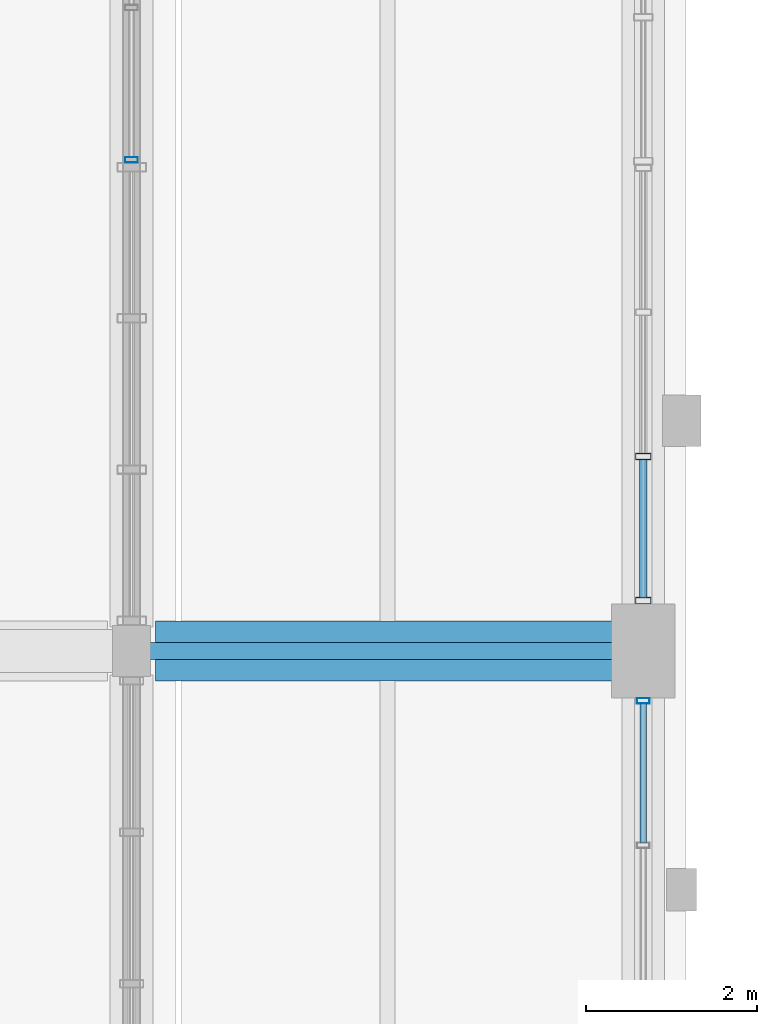
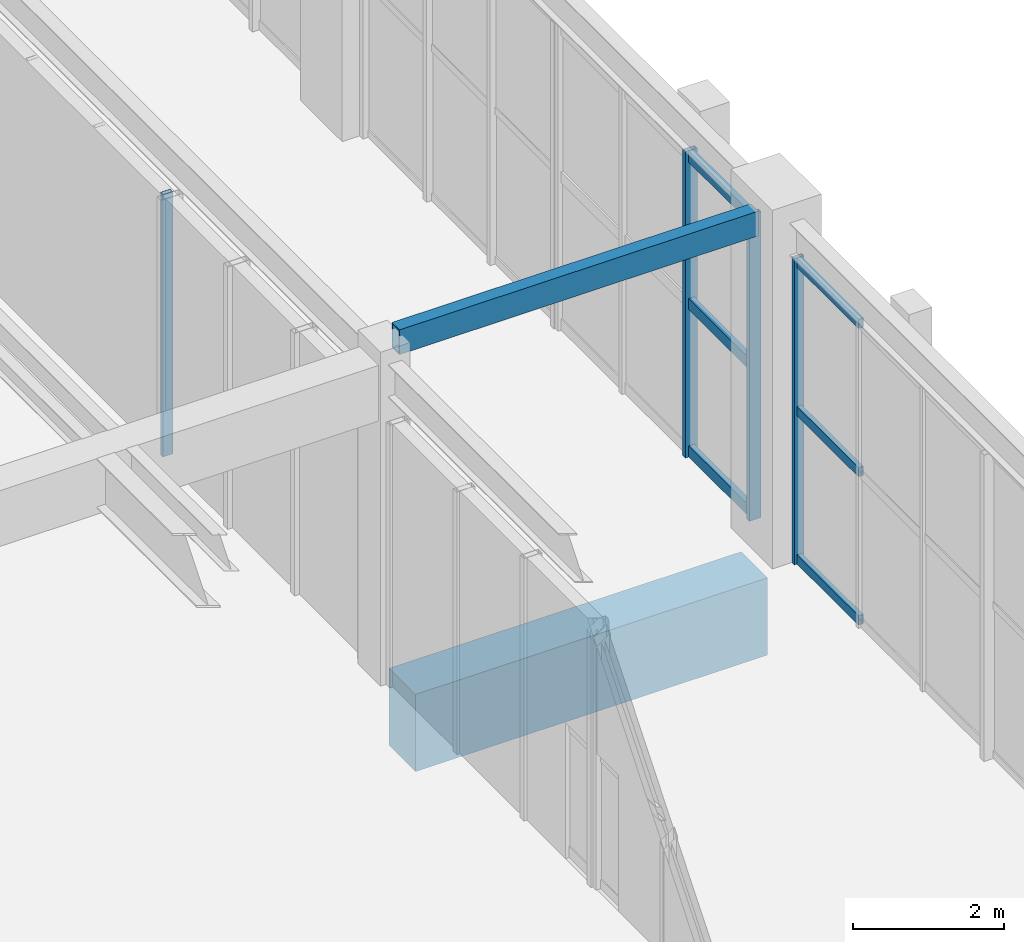
# One storey, part 35 of 113: 10 members, 2 beams, 3 elements without a shape of their own.
"""IFC4 building model written with IfcOpenShell, lengths in metres."""

from ifc_helpers import new_model, si_unit, direction, frame, origin, origin_2d, place, context, subcontext, project, spatial, rectangle, hollow_rectangle, extrude, material, layer, layer_set, material_profile, profile_set, type_object, element, aggregate, save


model = new_model("IFC4")

# Units and contexts
model_context = context("Model", 3, precision=1e-05, world=origin(), true_north=direction((0.0, 1.0)))
body_context = subcontext(model_context, "Body", "Model", "MODEL_VIEW")
ifc_project = project(units=[si_unit("LENGTHUNIT", "METRE"), si_unit("AREAUNIT", "SQUARE_METRE"), si_unit("VOLUMEUNIT", "CUBIC_METRE"), si_unit("PLANEANGLEUNIT", "RADIAN"), si_unit("MASSUNIT", "GRAM", prefix="KILO"), si_unit("POWERUNIT", "WATT"), si_unit("THERMODYNAMICTEMPERATUREUNIT", "KELVIN")], contexts=[model_context])

# Site, building, storey
site_placement = place(None, origin())
site = spatial("IfcSite", under=ifc_project, at=site_placement, CompositionType="ELEMENT")
building_placement = place(site_placement, origin())
building = spatial("IfcBuilding", under=site, at=building_placement, Name="Kelmbourne Parkland Aquatics Centre", CompositionType="ELEMENT")
storey_placement = place(building_placement, origin())
storey = spatial("IfcBuildingStorey", under=building, at=storey_placement, Name="L00", CompositionType="ELEMENT", Elevation=0.0)

# Beams
ifc_material_1 = material(Name="Concrete C50/60", Category="concrete")
ifc_material_profile_1 = material_profile(ifc_material_1, rectangle(XDim=0.699951171875, YDim=1.25, at=origin_2d()), Name="RC 700x1250")
ifc_profile_set_1 = profile_set([ifc_material_profile_1], Name="Concrete C50/60")
beam_type_1 = type_object("IfcBeamType", Name="BM-G08", PredefinedType="BEAM", material=ifc_profile_set_1)
beam_1_placement = place(storey_placement, frame((40.280029296875, 57.800048828125, -0.905029296875), z_axis=(1.0, 0.0, 0.0), x_axis=(0.0, 1.0, 0.0)))
element("IfcBeam", 1, at=beam_1_placement, inside=storey, type_object=beam_type_1, Name="Primary girder F-G Grid 08 (L00)", PredefinedType="BEAM", context=body_context, shape_type="SweptSolid", body=[
    extrude(rectangle(XDim=0.699951171875, YDim=1.25, at=origin_2d()), origin(), (0.0, 0.0, 1.0), 5.389892578125),
])
ifc_material_2 = material(Name="Cold-formed hollow steel AS/NZS 1163 C350L0", Category="steel")
ifc_material_profile_2 = material_profile(ifc_material_2, hollow_rectangle(XDim=0.199951171875, YDim=0.39990234375, WallThickness=0.012451171875, at=origin_2d()), Name="RHS 400x200x12.5")
ifc_profile_set_2 = profile_set([ifc_material_profile_2], Name="Cold-formed hollow steel AS/NZS 1163 C350L0")
beam_type_2 = type_object("IfcBeamType", Name="BM-SP03", PredefinedType="SPANDREL", material=ifc_profile_set_2)
beam_2_placement = place(storey_placement, frame((40.179931640625, 57.800048828125, 5.300048828125), z_axis=(1.0, 0.0, 0.0), x_axis=(0.0, 1.0, 0.0)))
element("IfcBeam", 2, at=beam_2_placement, inside=storey, type_object=beam_type_2, Name="Colonnade cross spandrel F-G Grid 08", PredefinedType="SPANDREL", context=body_context, shape_type="SweptSolid", body=[
    extrude(hollow_rectangle(XDim=0.199951171875, YDim=0.39990234375, WallThickness=0.012451171875, at=origin_2d()), origin(), (0.0, 0.0, 1.0), 5.489990234375),
])

# Curtain wall, member
ifc_material_3 = material(Name="Thermally broken anodised aluminium framing", Category="aluminium")
ifc_layer_1 = layer(ifc_material_3, 0.179931640625)
ifc_layer_set_1 = layer_set([ifc_layer_1], Name="Thermally broken anodised aluminium framing")
curtain_wall_type_1 = type_object("IfcCurtainWallType", Name="CW-07", PredefinedType="NOTDEFINED", material=ifc_layer_set_1)
curtain_wall_1_placement = place(storey_placement, origin())
curtain_wall_1 = element("IfcCurtainWall", 3, at=curtain_wall_1_placement, inside=storey, type_object=curtain_wall_type_1, Name="Facade curtain wall CW-L00-175", PredefinedType="NOTDEFINED")
ifc_material_profile_3 = material_profile(ifc_material_3, hollow_rectangle(XDim=0.06494140625, YDim=0.14990234375, WallThickness=0.00390625, at=origin_2d()), Name="CW-M 65x150")
ifc_profile_set_3 = profile_set([ifc_material_profile_3], Name="Thermally broken anodised aluminium framing")
member_type_1 = type_object("IfcMemberType", Name="MB-MUL-1", PredefinedType="MULLION", material=ifc_profile_set_3)
member_1_placement = place(storey_placement, frame((46.0, 57.215576171875, 0.0), z_axis=(0.0, 0.0, 1.0), x_axis=(0.0, 1.0, 0.0)))
member_1 = element("IfcMember", 4, at=member_1_placement, type_object=member_type_1, Name="CW-L00-175 mullion 3", PredefinedType="MULLION", context=body_context, shape_type="SweptSolid", body=[
    extrude(hollow_rectangle(XDim=0.06494140625, YDim=0.14990234375, WallThickness=0.00390625, at=origin_2d()), origin(), (0.0, 0.0, 1.0), 4.951904296875),
])

ifc_layer_2 = layer(ifc_material_3, 0.179931640625)
ifc_layer_set_2 = layer_set([ifc_layer_2], Name="Thermally broken anodised aluminium framing")
curtain_wall_type_2 = type_object("IfcCurtainWallType", Name="CW-04", PredefinedType="NOTDEFINED", material=ifc_layer_set_2)
curtain_wall_2_placement = place(storey_placement, origin())
curtain_wall_2 = element("IfcCurtainWall", 5, at=curtain_wall_2_placement, inside=storey, type_object=curtain_wall_type_2, Name="Facade curtain wall CW-L00-220", PredefinedType="NOTDEFINED")
member_2_placement = place(storey_placement, frame((40.0, 63.5576171875, 0.0), z_axis=(0.0, 0.0, 1.0), x_axis=(0.0, 1.0, 0.0)))
member_2 = element("IfcMember", 6, at=member_2_placement, type_object=member_type_1, Name="CW-L00-220 mullion 0", PredefinedType="MULLION", context=body_context, shape_type="SweptSolid", body=[
    extrude(hollow_rectangle(XDim=0.06494140625, YDim=0.14990234375, WallThickness=0.00390625, at=origin_2d()), origin(), (0.0, 0.0, 1.0), 4.2451171875),
])
aggregate(curtain_wall_2, [member_2])

# Curtain wall, members
ifc_layer_3 = layer(ifc_material_3, 0.179931640625)
ifc_layer_set_3 = layer_set([ifc_layer_3], Name="Thermally broken anodised aluminium framing")
curtain_wall_type_3 = type_object("IfcCurtainWallType", Name="CW-08", PredefinedType="NOTDEFINED", material=ifc_layer_set_3)
curtain_wall_3_placement = place(storey_placement, origin())
curtain_wall_3 = element("IfcCurtainWall", 7, at=curtain_wall_3_placement, inside=storey, type_object=curtain_wall_type_3, Name="Facade curtain wall CW-L00-176", PredefinedType="NOTDEFINED")
ifc_material_profile_4 = material_profile(ifc_material_3, hollow_rectangle(XDim=0.074951171875, YDim=0.179931640625, WallThickness=0.00439453125, at=origin_2d()), Name="CW-M 75x180")
ifc_profile_set_4 = profile_set([ifc_material_profile_4], Name="Thermally broken anodised aluminium framing")
member_type_2 = type_object("IfcMemberType", Name="MB-MUL-2", PredefinedType="MULLION", material=ifc_profile_set_4)
member_3_placement = place(storey_placement, frame((46.0, 58.389404296875, 0.0), z_axis=(0.0, 0.0, 1.0), x_axis=(0.0, 1.0, 0.0)))
member_3 = element("IfcMember", 8, at=member_3_placement, type_object=member_type_2, Name="CW-L00-176 mullion 0", PredefinedType="MULLION", context=body_context, shape_type="SweptSolid", body=[
    extrude(hollow_rectangle(XDim=0.074951171875, YDim=0.179931640625, WallThickness=0.00439453125, at=origin_2d()), origin(), (0.0, 0.0, 1.0), 4.951904296875),
])
member_4_placement = place(storey_placement, frame((46.0, 60.08056640625, 0.0), z_axis=(0.0, 0.0, 1.0), x_axis=(0.0, 1.0, 0.0)))
member_4 = element("IfcMember", 9, at=member_4_placement, type_object=member_type_2, Name="CW-L00-176 mullion 1", PredefinedType="MULLION", context=body_context, shape_type="SweptSolid", body=[
    extrude(hollow_rectangle(XDim=0.074951171875, YDim=0.179931640625, WallThickness=0.00439453125, at=origin_2d()), origin(), (0.0, 0.0, 1.0), 4.951904296875),
])

# Member
ifc_material_profile_5 = material_profile(ifc_material_3, hollow_rectangle(XDim=0.074951171875, YDim=0.14990234375, WallThickness=0.00390625, at=origin_2d()), Name="CW-T 75x150")
ifc_profile_set_5 = profile_set([ifc_material_profile_5], Name="Thermally broken anodised aluminium framing")
member_type_3 = type_object("IfcMemberType", Name="MB-TRN-2", PredefinedType="USERDEFINED", material=ifc_profile_set_5)
member_5_placement = place(storey_placement, frame((46.0, 55.5498046875, 0.077880859375), z_axis=(0.0, 1.0, 0.0), x_axis=(-1.0, 0.0, 0.0)))
member_5 = element("IfcMember", 10, at=member_5_placement, type_object=member_type_3, Name="CW-L00-175 transom 0-2", ObjectType="TRANSOM", PredefinedType="USERDEFINED", context=body_context, shape_type="SweptSolid", body=[
    extrude(hollow_rectangle(XDim=0.074951171875, YDim=0.14990234375, WallThickness=0.00390625, at=origin_2d()), origin(), (0.0, 0.0, 1.0), 1.63720703125),
])

member_6_placement = place(storey_placement, frame((46.0, 55.5498046875, 2.47607421875), z_axis=(0.0, 1.0, 0.0), x_axis=(-1.0, 0.0, 0.0)))
member_6 = element("IfcMember", 11, at=member_6_placement, type_object=member_type_3, Name="CW-L00-175 transom 1-2", ObjectType="TRANSOM", PredefinedType="USERDEFINED", context=body_context, shape_type="SweptSolid", body=[
    extrude(hollow_rectangle(XDim=0.074951171875, YDim=0.14990234375, WallThickness=0.00390625, at=origin_2d()), origin(), (0.0, 0.0, 1.0), 1.63720703125),
])

member_7_placement = place(storey_placement, frame((46.0, 55.5498046875, 4.8740234375), z_axis=(0.0, 1.0, 0.0), x_axis=(-1.0, 0.0, 0.0)))
member_7 = element("IfcMember", 12, at=member_7_placement, type_object=member_type_3, Name="CW-L00-175 transom 2-2", ObjectType="TRANSOM", PredefinedType="USERDEFINED", context=body_context, shape_type="SweptSolid", body=[
    extrude(hollow_rectangle(XDim=0.074951171875, YDim=0.14990234375, WallThickness=0.00390625, at=origin_2d()), origin(), (0.0, 0.0, 1.0), 1.63720703125),
])

aggregate(curtain_wall_1, [member_1, member_5, member_6, member_7])

ifc_material_profile_6 = material_profile(ifc_material_3, hollow_rectangle(XDim=0.0849609375, YDim=0.179931640625, WallThickness=0.00439453125, at=origin_2d()), Name="CW-T 85x180")
ifc_profile_set_6 = profile_set([ifc_material_profile_6], Name="Thermally broken anodised aluminium framing")
member_type_4 = type_object("IfcMemberType", Name="MB-TRN-3", PredefinedType="USERDEFINED", material=ifc_profile_set_6)
member_8_placement = place(storey_placement, frame((46.0, 58.423095703125, 0.093017578125), z_axis=(0.0, 1.0, 0.0), x_axis=(-1.0, 0.0, 0.0)))
member_8 = element("IfcMember", 13, at=member_8_placement, type_object=member_type_4, Name="CW-L00-176 transom 0-0", ObjectType="TRANSOM", PredefinedType="USERDEFINED", context=body_context, shape_type="SweptSolid", body=[
    extrude(hollow_rectangle(XDim=0.0849609375, YDim=0.179931640625, WallThickness=0.00439453125, at=origin_2d()), origin(), (0.0, 0.0, 1.0), 1.6240234375),
])

member_9_placement = place(storey_placement, frame((46.0, 58.423095703125, 2.47607421875), z_axis=(0.0, 1.0, 0.0), x_axis=(-1.0, 0.0, 0.0)))
member_9 = element("IfcMember", 14, at=member_9_placement, type_object=member_type_4, Name="CW-L00-176 transom 1-0", ObjectType="TRANSOM", PredefinedType="USERDEFINED", context=body_context, shape_type="SweptSolid", body=[
    extrude(hollow_rectangle(XDim=0.0849609375, YDim=0.179931640625, WallThickness=0.00439453125, at=origin_2d()), origin(), (0.0, 0.0, 1.0), 1.6240234375),
])

member_10_placement = place(storey_placement, frame((46.0, 58.423095703125, 4.85888671875), z_axis=(0.0, 1.0, 0.0), x_axis=(-1.0, 0.0, 0.0)))
member_10 = element("IfcMember", 15, at=member_10_placement, type_object=member_type_4, Name="CW-L00-176 transom 2-0", ObjectType="TRANSOM", PredefinedType="USERDEFINED", context=body_context, shape_type="SweptSolid", body=[
    extrude(hollow_rectangle(XDim=0.0849609375, YDim=0.179931640625, WallThickness=0.00439453125, at=origin_2d()), origin(), (0.0, 0.0, 1.0), 1.6240234375),
])

aggregate(curtain_wall_3, [member_3, member_4, member_8, member_9, member_10])

save(model, "model.ifc")
